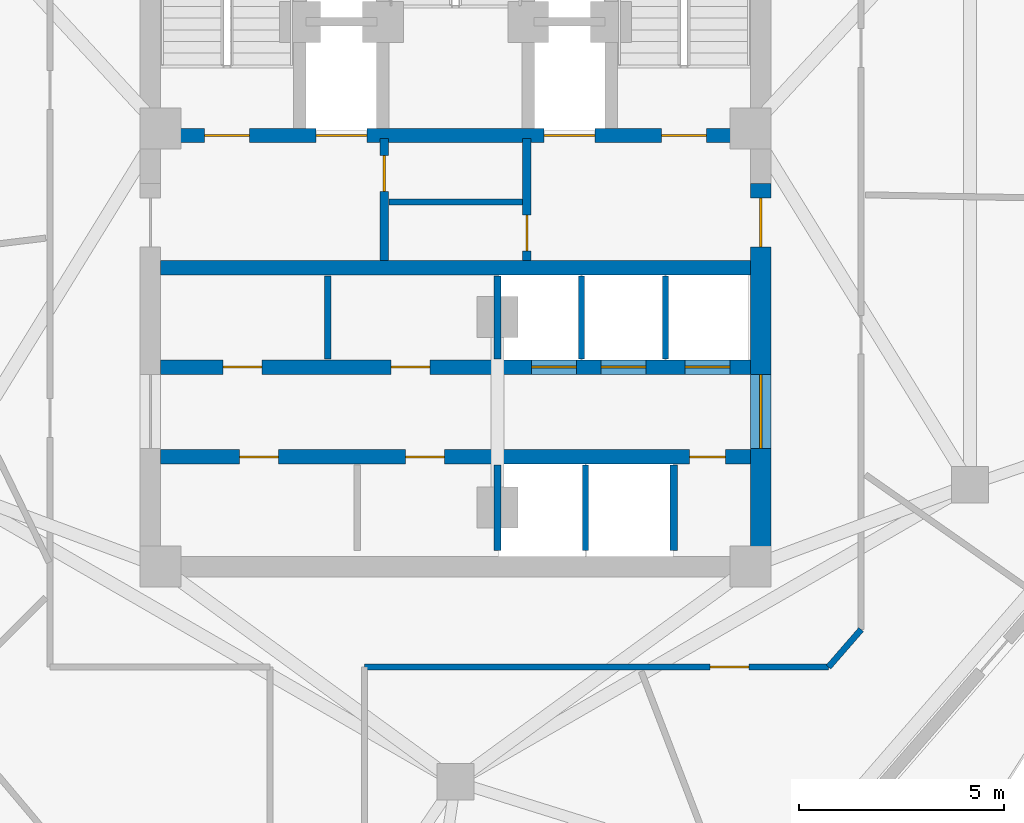
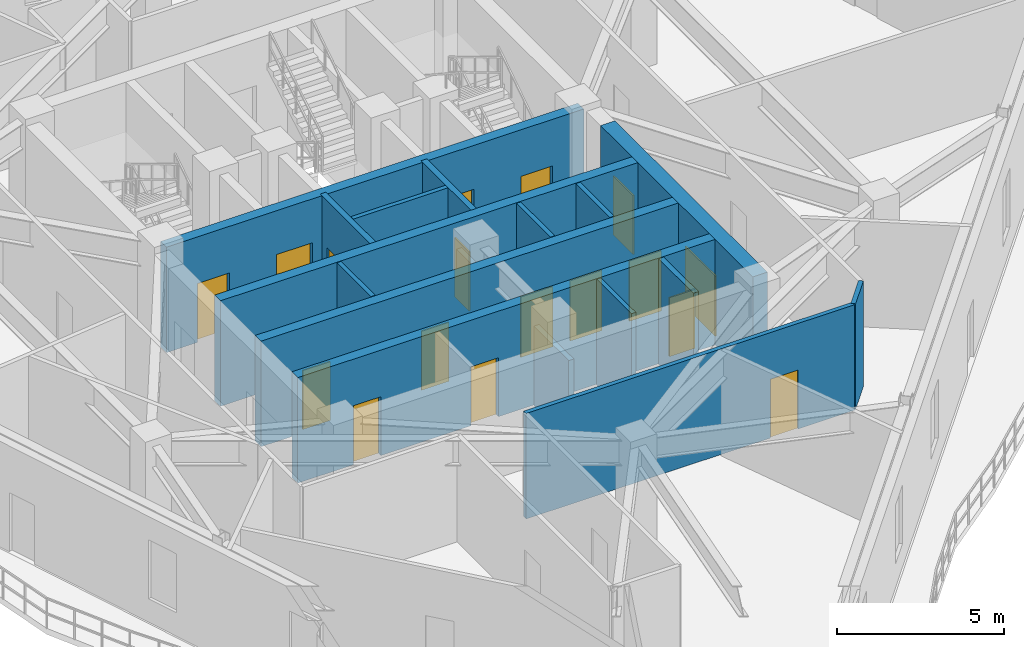
# One storey, part 5 of 10: 17 doors, 17 walls, 17 openings.
"""IFC4 building model written with IfcOpenShell, lengths in metres."""

from ifc_helpers import new_model, si_unit, direction, frame, frame_2d, origin, place, context, subcontext, project, spatial, rectangle, extrude, material, layer, layer_set, type_object, element, fill, save


model = new_model("IFC4")

# Units and contexts
model_context = context("Model", 3, precision=1e-05, world=origin(), true_north=direction((0.0, 1.0)))
body_context = subcontext(model_context, "Body", "Model", "MODEL_VIEW")
ifc_project = project(units=[si_unit("LENGTHUNIT", "METRE"), si_unit("AREAUNIT", "SQUARE_METRE"), si_unit("VOLUMEUNIT", "CUBIC_METRE"), si_unit("PLANEANGLEUNIT", "RADIAN"), si_unit("MASSUNIT", "GRAM", prefix="KILO")], contexts=[model_context])

# Site, building, storey
site_placement = place(None, origin())
site = spatial("IfcSite", under=ifc_project, at=site_placement, CompositionType="ELEMENT")
building_placement = place(site_placement, origin())
building = spatial("IfcBuilding", under=site, at=building_placement, Name="Apsidion Concourse Tower", CompositionType="ELEMENT")
storey_placement = place(building_placement, frame((0.0, 0.0, 265.5)))
storey = spatial("IfcBuildingStorey", under=building, at=storey_placement, Name="L62", CompositionType="ELEMENT", Elevation=265.5)

# Walls
ifc_material_1 = material(Name="Gypsum plasterboard partition")
ifc_layer_1 = layer(ifc_material_1, 0.14990234375)
ifc_layer_set_1 = layer_set([ifc_layer_1], Name="Gypsum plasterboard partition")
wall_type_1 = type_object("IfcWallType", Name="WL-INT-PAR-150", PredefinedType="PARTITIONING", material=ifc_layer_set_1)
for number, where, z_axis, x_axis, name in (
    (1, (-3.1201171875, -4.179931640625, 0.0), (0.0, 0.0, 1.0), (0.0, 1.0, 0.0), "L62 Interior Partition WL-L62-B1RV1"),
    (2, (3.074951171875, -4.179931640625, 0.0), (0.0, 0.0, 1.0), (0.0, 1.0, 0.0), "L62 Interior Partition WL-L62-B3DIV-1"),
    (3, (5.125, -4.179931640625, 0.0), (0.0, 0.0, 1.0), (0.0, 1.0, 0.0), "L62 Interior Partition WL-L62-B3DIV-2"),
):
    element("IfcWall", number, at=place(storey_placement, frame(where, z_axis=z_axis, x_axis=x_axis)), inside=storey, type_object=wall_type_1, Name=name, PredefinedType="PARTITIONING", context=body_context, shape_type="SweptSolid", body=[
        extrude(rectangle(XDim=2.030029296875, YDim=0.14990234375, at=frame_2d((1.01513671875, 0.0))), origin(), (0.0, 0.0, 1.0), 3.85009765625),
    ])
wall_1_placement = place(storey_placement, frame((3.175048828125, -8.85009765625, 0.0), z_axis=(0.0, 0.0, 1.0), x_axis=(0.0, 1.0, 0.0)))
element("IfcWall", 4, at=wall_1_placement, inside=storey, type_object=wall_type_1, Name="L62 Interior Partition WL-L62-SHDIV-1", PredefinedType="PARTITIONING", context=body_context, shape_type="SweptSolid", body=[
    extrude(rectangle(XDim=2.080078125, YDim=0.14990234375, at=frame_2d((1.0400390625, 0.0))), origin(), (0.0, 0.0, 1.0), 3.85009765625),
])
wall_2_placement = place(storey_placement, frame((-1.6298828125, -0.35009765625, 0.0), z_axis=(0.0, 0.0, 1.0), x_axis=(1.0, 0.0, 0.0)))
element("IfcWall", 5, at=wall_2_placement, inside=storey, type_object=wall_type_1, Name="L62 Interior Partition WL-L62-K2H", PredefinedType="PARTITIONING", context=body_context, shape_type="SweptSolid", body=[
    extrude(rectangle(XDim=3.259765625, YDim=0.14990234375, at=frame_2d((1.6298828125, 0.0))), origin(), (0.0, 0.0, 1.0), 3.85009765625),
])
wall_3_placement = place(storey_placement, frame((9.89990234375, -10.783447265625, 0.0), z_axis=(0.0, 0.0, 1.0), x_axis=(-0.656024397367, -0.754739683639, 0.0)))
element("IfcWall", 6, at=wall_3_placement, inside=storey, type_object=wall_type_1, Name="L62 Interior Partition WL-L62-CORR-09", PredefinedType="PARTITIONING", context=body_context, shape_type="SweptSolid", body=[
    extrude(rectangle(XDim=1.21435546875, YDim=0.14990234375, at=frame_2d((0.607177734375, 0.0))), origin(), (0.0, 0.0, 1.0), 3.85009765625),
])

# Wall, opening, door
wall_4_placement = place(storey_placement, frame((9.103271484375, -11.699951171875, 0.0), z_axis=(0.0, 0.0, 1.0), x_axis=(-1.0, 0.0, 0.0)))
wall_4 = element("IfcWall", 7, at=wall_4_placement, inside=storey, type_object=wall_type_1, Name="L62 Interior Partition WL-L62-CORR-10", PredefinedType="PARTITIONING", context=body_context, shape_type="SweptSolid", body=[
    extrude(rectangle(XDim=11.3232421875, YDim=0.14990234375, at=frame_2d((5.66162109375, 0.0))), origin(), (0.0, 0.0, 1.0), 3.85009765625),
])
opening_1_placement = place(wall_4_placement, frame((1.940185546875, 0.0, 0.0)))
opening_1 = element("IfcOpeningElement", 8, at=opening_1_placement, cuts=wall_4, Name="Opening D-01R", PredefinedType="OPENING", context=body_context, shape_type="SweptSolid", body=[
    extrude(rectangle(XDim=0.949951171875, YDim=2.14990234375, at=frame_2d((0.47509765625, 1.074951171875))), frame((0.0, 0.0849609375, 0.0), z_axis=(0.0, -1.0, 0.0), x_axis=(1.0, 0.0, 0.0)), (0.0, 0.0, 1.0), 0.169921875),
])
ifc_material_2 = material(Name="Brushed stainless steel 316", Category="steel")
door_type_1 = type_object("IfcDoorType", Name="DR-INT-D01R", OperationType="SINGLE_SWING_RIGHT", PredefinedType="DOOR", material=ifc_material_2)
door_1_placement = place(opening_1_placement, origin())
door_1 = element("IfcDoor", 9, at=door_1_placement, inside=storey, type_object=door_type_1, Name="L62 Corridor Entry Door 04", OperationType="SINGLE_SWING_RIGHT", OverallHeight=2.14990234375, OverallWidth=0.949951171875, PredefinedType="DOOR", context=body_context, shape_type="SweptSolid", body=[
    extrude(rectangle(XDim=0.949951171875, YDim=2.14990234375, at=frame_2d((0.47509765625, 1.074951171875))), frame((0.0, 0.02490234375, 0.0), z_axis=(0.0, -1.0, 0.0), x_axis=(1.0, 0.0, 0.0)), (0.0, 0.0, 1.0), 0.050048828125),
])
fill(opening_1, door_1)

# Walls
ifc_layer_2 = layer(ifc_material_1, 0.179931640625)
ifc_layer_set_2 = layer_set([ifc_layer_2], Name="Gypsum plasterboard partition")
wall_type_2 = type_object("IfcWallType", Name="WL-INT-PAR-180", PredefinedType="PARTITIONING", material=ifc_layer_set_2)
wall_5_placement = place(storey_placement, frame((1.02490234375, -4.179931640625, 0.0), z_axis=(0.0, 0.0, 1.0), x_axis=(0.0, 1.0, 0.0)))
element("IfcWall", 10, at=wall_5_placement, inside=storey, type_object=wall_type_2, Name="L62 Interior Partition WL-L62-B1END", PredefinedType="PARTITIONING", context=body_context, shape_type="SweptSolid", body=[
    extrude(rectangle(XDim=2.030029296875, YDim=0.179931640625, at=frame_2d((1.01513671875, 0.0))), origin(), (0.0, 0.0, 1.0), 2.89794921875),
])
wall_6_placement = place(storey_placement, frame((1.02490234375, -8.85009765625, 0.0), z_axis=(0.0, 0.0, 1.0), x_axis=(0.0, 1.0, 0.0)))
element("IfcWall", 11, at=wall_6_placement, inside=storey, type_object=wall_type_2, Name="L62 Interior Partition WL-L62-B2END", PredefinedType="PARTITIONING", context=body_context, shape_type="SweptSolid", body=[
    extrude(rectangle(XDim=2.080078125, YDim=0.179931640625, at=frame_2d((1.0400390625, 0.0))), origin(), (0.0, 0.0, 1.0), 2.89794921875),
])
wall_7_placement = place(storey_placement, frame((5.324951171875, -8.85009765625, 0.0), z_axis=(0.0, 0.0, 1.0), x_axis=(0.0, 1.0, 0.0)))
element("IfcWall", 12, at=wall_7_placement, inside=storey, type_object=wall_type_2, Name="L62 Interior Partition WL-L62-SHDIV-2", PredefinedType="PARTITIONING", context=body_context, shape_type="SweptSolid", body=[
    extrude(rectangle(XDim=2.080078125, YDim=0.179931640625, at=frame_2d((1.0400390625, 0.0))), origin(), (0.0, 0.0, 1.0), 3.85009765625),
])

# Wall, opening, door
ifc_layer_3 = layer(ifc_material_1, 0.199951171875)
ifc_layer_set_3 = layer_set([ifc_layer_3], Name="Gypsum plasterboard partition")
wall_type_3 = type_object("IfcWallType", Name="WL-INT-PAR-200", PredefinedType="PARTITIONING", material=ifc_layer_set_3)
wall_8_placement = place(storey_placement, frame((-1.739990234375, -1.780029296875, 0.0), z_axis=(0.0, 0.0, 1.0), x_axis=(0.0, 1.0, 0.0)))
wall_8 = element("IfcWall", 13, at=wall_8_placement, inside=storey, type_object=wall_type_3, Name="L62 Interior Partition WL-L62-FF1-E", PredefinedType="PARTITIONING", context=body_context, shape_type="SweptSolid", body=[
    extrude(rectangle(XDim=2.97998046875, YDim=0.199951171875, at=frame_2d((1.489990234375, 0.0))), origin(), (0.0, 0.0, 1.0), 3.85009765625),
])
opening_2_placement = place(wall_8_placement, frame((1.68994140625, 0.0, 0.0)))
opening_2 = element("IfcOpeningElement", 14, at=opening_2_placement, cuts=wall_8, Name="Opening D-05L", PredefinedType="OPENING", context=body_context, shape_type="SweptSolid", body=[
    extrude(rectangle(XDim=0.8798828125, YDim=2.14990234375, at=frame_2d((0.43994140625, 1.074951171875))), frame((0.0, 0.10986328125, 0.0), z_axis=(0.0, -1.0, 0.0), x_axis=(1.0, 0.0, 0.0)), (0.0, 0.0, 1.0), 0.219970703125),
])
door_type_2 = type_object("IfcDoorType", Name="DR-INT-D05L", OperationType="SINGLE_SWING_LEFT", PredefinedType="DOOR", material=ifc_material_2)
door_2_placement = place(opening_2_placement, origin())
door_2 = element("IfcDoor", 15, at=door_2_placement, inside=storey, type_object=door_type_2, Name="L62 Core Staff WC Door", OperationType="SINGLE_SWING_LEFT", OverallHeight=2.14990234375, OverallWidth=0.8798828125, PredefinedType="DOOR", context=body_context, shape_type="SweptSolid", body=[
    extrude(rectangle(XDim=0.8798828125, YDim=2.14990234375, at=frame_2d((0.43994140625, 1.074951171875))), frame((0.0, 0.02490234375, 0.0), z_axis=(0.0, -1.0, 0.0), x_axis=(1.0, 0.0, 0.0)), (0.0, 0.0, 1.0), 0.050048828125),
])
fill(opening_2, door_2)

wall_9_placement = place(storey_placement, frame((1.739990234375, -1.780029296875, 0.0), z_axis=(0.0, 0.0, 1.0), x_axis=(0.0, 1.0, 0.0)))
wall_9 = element("IfcWall", 16, at=wall_9_placement, inside=storey, type_object=wall_type_3, Name="L62 Interior Partition WL-L62-FF2-W", PredefinedType="PARTITIONING", context=body_context, shape_type="SweptSolid", body=[
    extrude(rectangle(XDim=2.97998046875, YDim=0.199951171875, at=frame_2d((1.489990234375, 0.0))), origin(), (0.0, 0.0, 1.0), 3.85009765625),
])
opening_3_placement = place(wall_9_placement, frame((0.239990234375, 0.0, 0.0)))
opening_3 = element("IfcOpeningElement", 17, at=opening_3_placement, cuts=wall_9, Name="Opening D-05R", PredefinedType="OPENING", context=body_context, shape_type="SweptSolid", body=[
    extrude(rectangle(XDim=0.8798828125, YDim=2.14990234375, at=frame_2d((0.43994140625, 1.074951171875))), frame((0.0, 0.10986328125, 0.0), z_axis=(0.0, -1.0, 0.0), x_axis=(1.0, 0.0, 0.0)), (0.0, 0.0, 1.0), 0.219970703125),
])
door_type_3 = type_object("IfcDoorType", Name="DR-INT-D05R", OperationType="SINGLE_SWING_RIGHT", PredefinedType="DOOR", material=ifc_material_2)
door_3_placement = place(opening_3_placement, origin())
door_3 = element("IfcDoor", 18, at=door_3_placement, inside=storey, type_object=door_type_3, Name="L62 Core Supply Store Door", OperationType="SINGLE_SWING_RIGHT", OverallHeight=2.14990234375, OverallWidth=0.8798828125, PredefinedType="DOOR", context=body_context, shape_type="SweptSolid", body=[
    extrude(rectangle(XDim=0.8798828125, YDim=2.14990234375, at=frame_2d((0.43994140625, 1.074951171875))), frame((0.0, 0.02490234375, 0.0), z_axis=(0.0, -1.0, 0.0), x_axis=(1.0, 0.0, 0.0)), (0.0, 0.0, 1.0), 0.050048828125),
])
fill(opening_3, door_3)

# Wall, openings, doors
ifc_material_3 = material(Name="Concrete C50/60", Category="concrete")
ifc_layer_4 = layer(ifc_material_3, 0.35009765625)
ifc_layer_set_4 = layer_set([ifc_layer_4], Name="Concrete C50/60")
wall_type_4 = type_object("IfcWallType", Name="WL-SH-350", PredefinedType="SHEAR", material=ifc_layer_set_4)
wall_10_placement = place(storey_placement, frame((-7.199951171875, 1.27490234375, 0.0), z_axis=(0.0, 0.0, 1.0), x_axis=(1.0, 0.0, 0.0)))
wall_10 = element("IfcWall", 19, at=wall_10_placement, inside=storey, type_object=wall_type_4, Name="L62 Central Core Shear Wall M1", PredefinedType="SHEAR", context=body_context, shape_type="SweptSolid", body=[
    extrude(rectangle(XDim=14.39990234375, YDim=0.35009765625, at=frame_2d((7.199951171875, 0.0))), origin(), (0.0, 0.0, 1.0), 3.85009765625),
])
opening_4_placement = place(wall_10_placement, frame((3.794921875, 0.0, 0.0)))
opening_4 = element("IfcOpeningElement", 20, at=opening_4_placement, cuts=wall_10, Name="Opening LD-FF", PredefinedType="OPENING", context=body_context, shape_type="SweptSolid", body=[
    extrude(rectangle(XDim=1.25, YDim=2.25, at=frame_2d((0.625, 1.125))), frame((0.0, 0.18505859375, 0.0), z_axis=(0.0, -1.0, 0.0), x_axis=(1.0, 0.0, 0.0)), (0.0, 0.0, 1.0), 0.3701171875),
])
opening_5_placement = place(wall_10_placement, frame((9.35498046875, 0.0, 0.0)))
opening_5 = element("IfcOpeningElement", 21, at=opening_5_placement, cuts=wall_10, Name="Opening LD-FF", PredefinedType="OPENING", context=body_context, shape_type="SweptSolid", body=[
    extrude(rectangle(XDim=1.25, YDim=2.25, at=frame_2d((0.625, 1.125))), frame((0.0, 0.18505859375, 0.0), z_axis=(0.0, -1.0, 0.0), x_axis=(1.0, 0.0, 0.0)), (0.0, 0.0, 1.0), 0.3701171875),
])
opening_6_placement = place(wall_10_placement, frame((1.074951171875, 0.0, 0.0)))
opening_6 = element("IfcOpeningElement", 22, at=opening_6_placement, cuts=wall_10, Name="Opening D-STL", PredefinedType="OPENING", context=body_context, shape_type="SweptSolid", body=[
    extrude(rectangle(XDim=1.10009765625, YDim=2.14990234375, at=frame_2d((0.550048828125, 1.074951171875))), frame((0.0, 0.18505859375, 0.0), z_axis=(0.0, -1.0, 0.0), x_axis=(1.0, 0.0, 0.0)), (0.0, 0.0, 1.0), 0.3701171875),
])
opening_7_placement = place(wall_10_placement, frame((12.22509765625, 0.0, 0.0)))
opening_7 = element("IfcOpeningElement", 23, at=opening_7_placement, cuts=wall_10, Name="Opening D-STR", PredefinedType="OPENING", context=body_context, shape_type="SweptSolid", body=[
    extrude(rectangle(XDim=1.10009765625, YDim=2.14990234375, at=frame_2d((0.550048828125, 1.074951171875))), frame((0.0, 0.18505859375, 0.0), z_axis=(0.0, -1.0, 0.0), x_axis=(1.0, 0.0, 0.0)), (0.0, 0.0, 1.0), 0.3701171875),
])
door_type_4 = type_object("IfcDoorType", Name="DR-INT-ST1L", OperationType="SINGLE_SWING_LEFT", PredefinedType="DOOR", material=ifc_material_2)
door_4_placement = place(opening_6_placement, origin())
door_4 = element("IfcDoor", 24, at=door_4_placement, inside=storey, type_object=door_type_4, Name="L62 Core Exit Stair ST1 Door", OperationType="SINGLE_SWING_LEFT", OverallHeight=2.14990234375, OverallWidth=1.10009765625, PredefinedType="DOOR", context=body_context, shape_type="SweptSolid", body=[
    extrude(rectangle(XDim=1.10009765625, YDim=2.14990234375, at=frame_2d((0.550048828125, 1.074951171875))), frame((0.0, 0.02490234375, 0.0), z_axis=(0.0, -1.0, 0.0), x_axis=(1.0, 0.0, 0.0)), (0.0, 0.0, 1.0), 0.050048828125),
])
fill(opening_6, door_4)
door_type_5 = type_object("IfcDoorType", Name="DR-INT-ST1R", OperationType="SINGLE_SWING_RIGHT", PredefinedType="DOOR", material=ifc_material_2)
door_5_placement = place(opening_7_placement, origin())
door_5 = element("IfcDoor", 25, at=door_5_placement, inside=storey, type_object=door_type_5, Name="L62 Core Exit Stair ST2 Door", OperationType="SINGLE_SWING_RIGHT", OverallHeight=2.14990234375, OverallWidth=1.10009765625, PredefinedType="DOOR", context=body_context, shape_type="SweptSolid", body=[
    extrude(rectangle(XDim=1.10009765625, YDim=2.14990234375, at=frame_2d((0.550048828125, 1.074951171875))), frame((0.0, 0.02490234375, 0.0), z_axis=(0.0, -1.0, 0.0), x_axis=(1.0, 0.0, 0.0)), (0.0, 0.0, 1.0), 0.050048828125),
])
fill(opening_7, door_5)
door_type_6 = type_object("IfcDoorType", Name="DR-LD-FSAE", OperationType="DOUBLE_DOOR_SLIDING", PredefinedType="DOOR", material=ifc_material_2)
door_6_placement = place(opening_4_placement, origin())
door_6 = element("IfcDoor", 26, at=door_6_placement, inside=storey, type_object=door_type_6, Name="L62 Lift Landing Door FF1", OperationType="DOUBLE_DOOR_SLIDING", OverallHeight=2.25, OverallWidth=1.25, PredefinedType="DOOR", context=body_context, shape_type="SweptSolid", body=[
    extrude(rectangle(XDim=1.25, YDim=2.25, at=frame_2d((0.625, 1.125))), frame((0.0, 0.02490234375, 0.0), z_axis=(0.0, -1.0, 0.0), x_axis=(1.0, 0.0, 0.0)), (0.0, 0.0, 1.0), 0.050048828125),
])
fill(opening_4, door_6)
door_7_placement = place(opening_5_placement, origin())
door_7 = element("IfcDoor", 27, at=door_7_placement, inside=storey, type_object=door_type_6, Name="L62 Lift Landing Door FF2", OperationType="DOUBLE_DOOR_SLIDING", OverallHeight=2.25, OverallWidth=1.25, PredefinedType="DOOR", context=body_context, shape_type="SweptSolid", body=[
    extrude(rectangle(XDim=1.25, YDim=2.25, at=frame_2d((0.625, 1.125))), frame((0.0, 0.02490234375, 0.0), z_axis=(0.0, -1.0, 0.0), x_axis=(1.0, 0.0, 0.0)), (0.0, 0.0, 1.0), 0.050048828125),
])
fill(opening_5, door_7)

# Wall
wall_11_placement = place(storey_placement, frame((-7.199951171875, -1.949951171875, 0.0), z_axis=(0.0, 0.0, 1.0), x_axis=(1.0, 0.0, 0.0)))
element("IfcWall", 28, at=wall_11_placement, inside=storey, type_object=wall_type_4, Name="L62 Central Core Shear Wall M2", PredefinedType="SHEAR", context=body_context, shape_type="SweptSolid", body=[
    extrude(rectangle(XDim=14.39990234375, YDim=0.35009765625, at=frame_2d((7.199951171875, 0.0))), origin(), (0.0, 0.0, 1.0), 3.85009765625),
])

# Wall, openings, doors
wall_12_placement = place(storey_placement, frame((-7.199951171875, -4.3798828125, 0.0), z_axis=(0.0, 0.0, 1.0), x_axis=(1.0, 0.0, 0.0)))
wall_12 = element("IfcWall", 29, at=wall_12_placement, inside=storey, type_object=wall_type_4, Name="L62 Central Core Shear Wall LA", PredefinedType="SHEAR", context=body_context, shape_type="SweptSolid", body=[
    extrude(rectangle(XDim=14.39990234375, YDim=0.35009765625, at=frame_2d((7.199951171875, 0.0))), origin(), (0.0, 0.0, 1.0), 3.85009765625),
])
opening_8_placement = place(wall_12_placement, frame((9.050048828125, 0.0, 0.0)))
opening_8 = element("IfcOpeningElement", 30, at=opening_8_placement, cuts=wall_12, Name="Opening LD-P1", PredefinedType="OPENING", context=body_context, shape_type="SweptSolid", body=[
    extrude(rectangle(XDim=1.10009765625, YDim=2.199951171875, at=frame_2d((0.550048828125, 1.10009765625))), frame((0.0, 0.18505859375, 0.0), z_axis=(0.0, -1.0, 0.0), x_axis=(1.0, 0.0, 0.0)), (0.0, 0.0, 1.0), 0.3701171875),
])
opening_9_placement = place(wall_12_placement, frame((10.75, 0.0, 0.0)))
opening_9 = element("IfcOpeningElement", 31, at=opening_9_placement, cuts=wall_12, Name="Opening LD-P1", PredefinedType="OPENING", context=body_context, shape_type="SweptSolid", body=[
    extrude(rectangle(XDim=1.10009765625, YDim=2.199951171875, at=frame_2d((0.550048828125, 1.10009765625))), frame((0.0, 0.18505859375, 0.0), z_axis=(0.0, -1.0, 0.0), x_axis=(1.0, 0.0, 0.0)), (0.0, 0.0, 1.0), 0.3701171875),
])
opening_10_placement = place(wall_12_placement, frame((12.800048828125, 0.0, 0.0)))
opening_10 = element("IfcOpeningElement", 32, at=opening_10_placement, cuts=wall_12, Name="Opening LD-P1", PredefinedType="OPENING", context=body_context, shape_type="SweptSolid", body=[
    extrude(rectangle(XDim=1.10009765625, YDim=2.199951171875, at=frame_2d((0.550048828125, 1.10009765625))), frame((0.0, 0.18505859375, 0.0), z_axis=(0.0, -1.0, 0.0), x_axis=(1.0, 0.0, 0.0)), (0.0, 0.0, 1.0), 0.3701171875),
])
opening_11_placement = place(wall_12_placement, frame((1.52490234375, 0.0, 0.0)))
opening_11 = element("IfcOpeningElement", 33, at=opening_11_placement, cuts=wall_12, Name="Opening D-04L", PredefinedType="OPENING", context=body_context, shape_type="SweptSolid", body=[
    extrude(rectangle(XDim=0.949951171875, YDim=2.14990234375, at=frame_2d((0.47509765625, 1.074951171875))), frame((0.0, 0.18505859375, 0.0), z_axis=(0.0, -1.0, 0.0), x_axis=(1.0, 0.0, 0.0)), (0.0, 0.0, 1.0), 0.3701171875),
])
opening_12_placement = place(wall_12_placement, frame((5.625, 0.0, 0.0)))
opening_12 = element("IfcOpeningElement", 34, at=opening_12_placement, cuts=wall_12, Name="Opening D-04R", PredefinedType="OPENING", context=body_context, shape_type="SweptSolid", body=[
    extrude(rectangle(XDim=0.949951171875, YDim=2.14990234375, at=frame_2d((0.47509765625, 1.074951171875))), frame((0.0, 0.18505859375, 0.0), z_axis=(0.0, -1.0, 0.0), x_axis=(1.0, 0.0, 0.0)), (0.0, 0.0, 1.0), 0.3701171875),
])
door_type_7 = type_object("IfcDoorType", Name="DR-INT-D04L", OperationType="SINGLE_SWING_LEFT", PredefinedType="DOOR", material=ifc_material_2)
door_8_placement = place(opening_11_placement, origin())
door_8 = element("IfcDoor", 35, at=door_8_placement, inside=storey, type_object=door_type_7, Name="L62 Tenant Archive Room West Door", OperationType="SINGLE_SWING_LEFT", OverallHeight=2.14990234375, OverallWidth=0.949951171875, PredefinedType="DOOR", context=body_context, shape_type="SweptSolid", body=[
    extrude(rectangle(XDim=0.949951171875, YDim=2.14990234375, at=frame_2d((0.47509765625, 1.074951171875))), frame((0.0, 0.02490234375, 0.0), z_axis=(0.0, -1.0, 0.0), x_axis=(1.0, 0.0, 0.0)), (0.0, 0.0, 1.0), 0.050048828125),
])
fill(opening_11, door_8)
door_type_8 = type_object("IfcDoorType", Name="DR-INT-D04R", OperationType="SINGLE_SWING_RIGHT", PredefinedType="DOOR", material=ifc_material_2)
door_9_placement = place(opening_12_placement, origin())
door_9 = element("IfcDoor", 36, at=door_9_placement, inside=storey, type_object=door_type_8, Name="L62 Core Print and Copy Room Door", OperationType="SINGLE_SWING_RIGHT", OverallHeight=2.14990234375, OverallWidth=0.949951171875, PredefinedType="DOOR", context=body_context, shape_type="SweptSolid", body=[
    extrude(rectangle(XDim=0.949951171875, YDim=2.14990234375, at=frame_2d((0.47509765625, 1.074951171875))), frame((0.0, 0.02490234375, 0.0), z_axis=(0.0, -1.0, 0.0), x_axis=(1.0, 0.0, 0.0)), (0.0, 0.0, 1.0), 0.050048828125),
])
fill(opening_12, door_9)
door_type_9 = type_object("IfcDoorType", Name="DR-LD-PASS", OperationType="DOUBLE_DOOR_SLIDING", PredefinedType="DOOR", material=ifc_material_2)
door_10_placement = place(opening_8_placement, origin())
door_10 = element("IfcDoor", 37, at=door_10_placement, inside=storey, type_object=door_type_9, Name="L62 Lift Landing Door P9", OperationType="DOUBLE_DOOR_SLIDING", OverallHeight=2.199951171875, OverallWidth=1.10009765625, PredefinedType="DOOR", context=body_context, shape_type="SweptSolid", body=[
    extrude(rectangle(XDim=1.10009765625, YDim=2.199951171875, at=frame_2d((0.550048828125, 1.10009765625))), frame((0.0, 0.02490234375, 0.0), z_axis=(0.0, -1.0, 0.0), x_axis=(1.0, 0.0, 0.0)), (0.0, 0.0, 1.0), 0.050048828125),
])
fill(opening_8, door_10)
door_11_placement = place(opening_9_placement, origin())
door_11 = element("IfcDoor", 38, at=door_11_placement, inside=storey, type_object=door_type_9, Name="L62 Lift Landing Door P10", OperationType="DOUBLE_DOOR_SLIDING", OverallHeight=2.199951171875, OverallWidth=1.10009765625, PredefinedType="DOOR", context=body_context, shape_type="SweptSolid", body=[
    extrude(rectangle(XDim=1.10009765625, YDim=2.199951171875, at=frame_2d((0.550048828125, 1.10009765625))), frame((0.0, 0.02490234375, 0.0), z_axis=(0.0, -1.0, 0.0), x_axis=(1.0, 0.0, 0.0)), (0.0, 0.0, 1.0), 0.050048828125),
])
fill(opening_9, door_11)
door_12_placement = place(opening_10_placement, origin())
door_12 = element("IfcDoor", 39, at=door_12_placement, inside=storey, type_object=door_type_9, Name="L62 Lift Landing Door P11", OperationType="DOUBLE_DOOR_SLIDING", OverallHeight=2.199951171875, OverallWidth=1.10009765625, PredefinedType="DOOR", context=body_context, shape_type="SweptSolid", body=[
    extrude(rectangle(XDim=1.10009765625, YDim=2.199951171875, at=frame_2d((0.550048828125, 1.10009765625))), frame((0.0, 0.02490234375, 0.0), z_axis=(0.0, -1.0, 0.0), x_axis=(1.0, 0.0, 0.0)), (0.0, 0.0, 1.0), 0.050048828125),
])
fill(opening_10, door_12)

wall_13_placement = place(storey_placement, frame((-7.199951171875, -6.570068359375, 0.0), z_axis=(0.0, 0.0, 1.0), x_axis=(1.0, 0.0, 0.0)))
wall_13 = element("IfcWall", 40, at=wall_13_placement, inside=storey, type_object=wall_type_4, Name="L62 Central Core Shear Wall LB", PredefinedType="SHEAR", context=body_context, shape_type="SweptSolid", body=[
    extrude(rectangle(XDim=14.39990234375, YDim=0.35009765625, at=frame_2d((7.199951171875, 0.0))), origin(), (0.0, 0.0, 1.0), 3.85009765625),
])
opening_13_placement = place(wall_13_placement, frame((1.925048828125, 0.0, 0.0)))
opening_13 = element("IfcOpeningElement", 41, at=opening_13_placement, cuts=wall_13, Name="Opening D-04R", PredefinedType="OPENING", context=body_context, shape_type="SweptSolid", body=[
    extrude(rectangle(XDim=0.949951171875, YDim=2.14990234375, at=frame_2d((0.47509765625, 1.074951171875))), frame((0.0, 0.18505859375, 0.0), z_axis=(0.0, -1.0, 0.0), x_axis=(1.0, 0.0, 0.0)), (0.0, 0.0, 1.0), 0.3701171875),
])
opening_14_placement = place(wall_13_placement, frame((5.97509765625, 0.0, 0.0)))
opening_14 = element("IfcOpeningElement", 42, at=opening_14_placement, cuts=wall_13, Name="Opening D-04L", PredefinedType="OPENING", context=body_context, shape_type="SweptSolid", body=[
    extrude(rectangle(XDim=0.949951171875, YDim=2.14990234375, at=frame_2d((0.47509765625, 1.074951171875))), frame((0.0, 0.18505859375, 0.0), z_axis=(0.0, -1.0, 0.0), x_axis=(1.0, 0.0, 0.0)), (0.0, 0.0, 1.0), 0.3701171875),
])
opening_15_placement = place(wall_13_placement, frame((12.909912109375, 0.0, 0.0)))
opening_15 = element("IfcOpeningElement", 43, at=opening_15_placement, cuts=wall_13, Name="Opening D-05L", PredefinedType="OPENING", context=body_context, shape_type="SweptSolid", body=[
    extrude(rectangle(XDim=0.8798828125, YDim=2.14990234375, at=frame_2d((0.43994140625, 1.074951171875))), frame((0.0, 0.18505859375, 0.0), z_axis=(0.0, -1.0, 0.0), x_axis=(1.0, 0.0, 0.0)), (0.0, 0.0, 1.0), 0.3701171875),
])
door_13_placement = place(opening_14_placement, origin())
door_13 = element("IfcDoor", 44, at=door_13_placement, inside=storey, type_object=door_type_7, Name="L62 Executive IT Server Room Door", OperationType="SINGLE_SWING_LEFT", OverallHeight=2.14990234375, OverallWidth=0.949951171875, PredefinedType="DOOR", context=body_context, shape_type="SweptSolid", body=[
    extrude(rectangle(XDim=0.949951171875, YDim=2.14990234375, at=frame_2d((0.47509765625, 1.074951171875))), frame((0.0, 0.02490234375, 0.0), z_axis=(0.0, -1.0, 0.0), x_axis=(1.0, 0.0, 0.0)), (0.0, 0.0, 1.0), 0.050048828125),
])
fill(opening_14, door_13)
door_14_placement = place(opening_13_placement, origin())
door_14 = element("IfcDoor", 45, at=door_14_placement, inside=storey, type_object=door_type_8, Name="L62 Executive Catering Pantry Door", OperationType="SINGLE_SWING_RIGHT", OverallHeight=2.14990234375, OverallWidth=0.949951171875, PredefinedType="DOOR", context=body_context, shape_type="SweptSolid", body=[
    extrude(rectangle(XDim=0.949951171875, YDim=2.14990234375, at=frame_2d((0.47509765625, 1.074951171875))), frame((0.0, 0.02490234375, 0.0), z_axis=(0.0, -1.0, 0.0), x_axis=(1.0, 0.0, 0.0)), (0.0, 0.0, 1.0), 0.050048828125),
])
fill(opening_13, door_14)
door_15_placement = place(opening_15_placement, origin())
door_15 = element("IfcDoor", 46, at=door_15_placement, inside=storey, type_object=door_type_2, Name="L62 Cleaners Store Door", OperationType="SINGLE_SWING_LEFT", OverallHeight=2.14990234375, OverallWidth=0.8798828125, PredefinedType="DOOR", context=body_context, shape_type="SweptSolid", body=[
    extrude(rectangle(XDim=0.8798828125, YDim=2.14990234375, at=frame_2d((0.43994140625, 1.074951171875))), frame((0.0, 0.02490234375, 0.0), z_axis=(0.0, -1.0, 0.0), x_axis=(1.0, 0.0, 0.0)), (0.0, 0.0, 1.0), 0.050048828125),
])
fill(opening_15, door_15)

ifc_layer_5 = layer(ifc_material_3, 0.5)
ifc_layer_set_5 = layer_set([ifc_layer_5], Name="Concrete C50/60")
wall_type_5 = type_object("IfcWallType", Name="WL-SH-500", PredefinedType="SHEAR", material=ifc_layer_set_5)
wall_14_placement = place(storey_placement, frame((7.449951171875, -9.0, 0.0), z_axis=(0.0, 0.0, 1.0), x_axis=(0.0, 1.0, 0.0)))
wall_14 = element("IfcWall", 47, at=wall_14_placement, inside=storey, type_object=wall_type_5, Name="L62 Central Core Shear Wall ES", PredefinedType="SHEAR", context=body_context, shape_type="SweptSolid", body=[
    extrude(rectangle(XDim=9.10009765625, YDim=0.5, at=frame_2d((4.550048828125, 0.0))), origin(), (0.0, 0.0, 1.0), 3.85009765625),
])
opening_16_placement = place(wall_14_placement, frame((2.639892578125, 0.0, 0.0)))
opening_16 = element("IfcOpeningElement", 48, at=opening_16_placement, cuts=wall_14, Name="Opening D-06D", PredefinedType="OPENING", context=body_context, shape_type="SweptSolid", body=[
    extrude(rectangle(XDim=1.800048828125, YDim=2.199951171875, at=frame_2d((0.89990234375, 1.10009765625))), frame((0.0, 0.260009765625, 0.0), z_axis=(0.0, -1.0, 0.0), x_axis=(1.0, 0.0, 0.0)), (0.0, 0.0, 1.0), 0.52001953125),
])
opening_17_placement = place(wall_14_placement, frame((7.550048828125, 0.0, 0.0)))
opening_17 = element("IfcOpeningElement", 49, at=opening_17_placement, cuts=wall_14, Name="Opening D-FFR", PredefinedType="OPENING", context=body_context, shape_type="SweptSolid", body=[
    extrude(rectangle(XDim=1.199951171875, YDim=2.14990234375, at=frame_2d((0.60009765625, 1.074951171875))), frame((0.0, 0.260009765625, 0.0), z_axis=(0.0, -1.0, 0.0), x_axis=(1.0, 0.0, 0.0)), (0.0, 0.0, 1.0), 0.52001953125),
])
door_type_10 = type_object("IfcDoorType", Name="DR-INT-D06D", OperationType="DOUBLE_DOOR_SINGLE_SWING", PredefinedType="DOOR", material=ifc_material_2)
door_16_placement = place(opening_16_placement, origin())
door_16 = element("IfcDoor", 50, at=door_16_placement, inside=storey, type_object=door_type_10, Name="L62 Passenger Lift Lobby ES Portal Door", OperationType="DOUBLE_DOOR_SINGLE_SWING", OverallHeight=2.199951171875, OverallWidth=1.800048828125, PredefinedType="DOOR", context=body_context, shape_type="SweptSolid", body=[
    extrude(rectangle(XDim=1.800048828125, YDim=2.199951171875, at=frame_2d((0.89990234375, 1.10009765625))), frame((0.0, 0.02490234375, 0.0), z_axis=(0.0, -1.0, 0.0), x_axis=(1.0, 0.0, 0.0)), (0.0, 0.0, 1.0), 0.050048828125),
])
fill(opening_16, door_16)
door_type_11 = type_object("IfcDoorType", Name="DR-INT-FFR", OperationType="SINGLE_SWING_RIGHT", PredefinedType="DOOR", material=ifc_material_2)
door_17_placement = place(opening_17_placement, origin())
door_17 = element("IfcDoor", 51, at=door_17_placement, inside=storey, type_object=door_type_11, Name="L62 Firefighting Lift Lobby FF2 Door", OperationType="SINGLE_SWING_RIGHT", OverallHeight=2.14990234375, OverallWidth=1.199951171875, PredefinedType="DOOR", context=body_context, shape_type="SweptSolid", body=[
    extrude(rectangle(XDim=1.199951171875, YDim=2.14990234375, at=frame_2d((0.60009765625, 1.074951171875))), frame((0.0, 0.02490234375, 0.0), z_axis=(0.0, -1.0, 0.0), x_axis=(1.0, 0.0, 0.0)), (0.0, 0.0, 1.0), 0.050048828125),
])
fill(opening_17, door_17)

save(model, "model.ifc")
